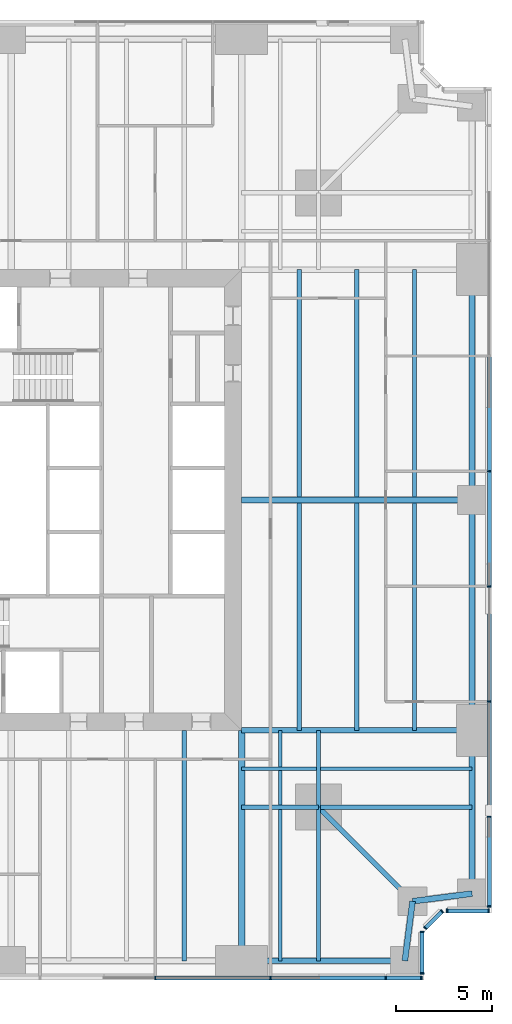
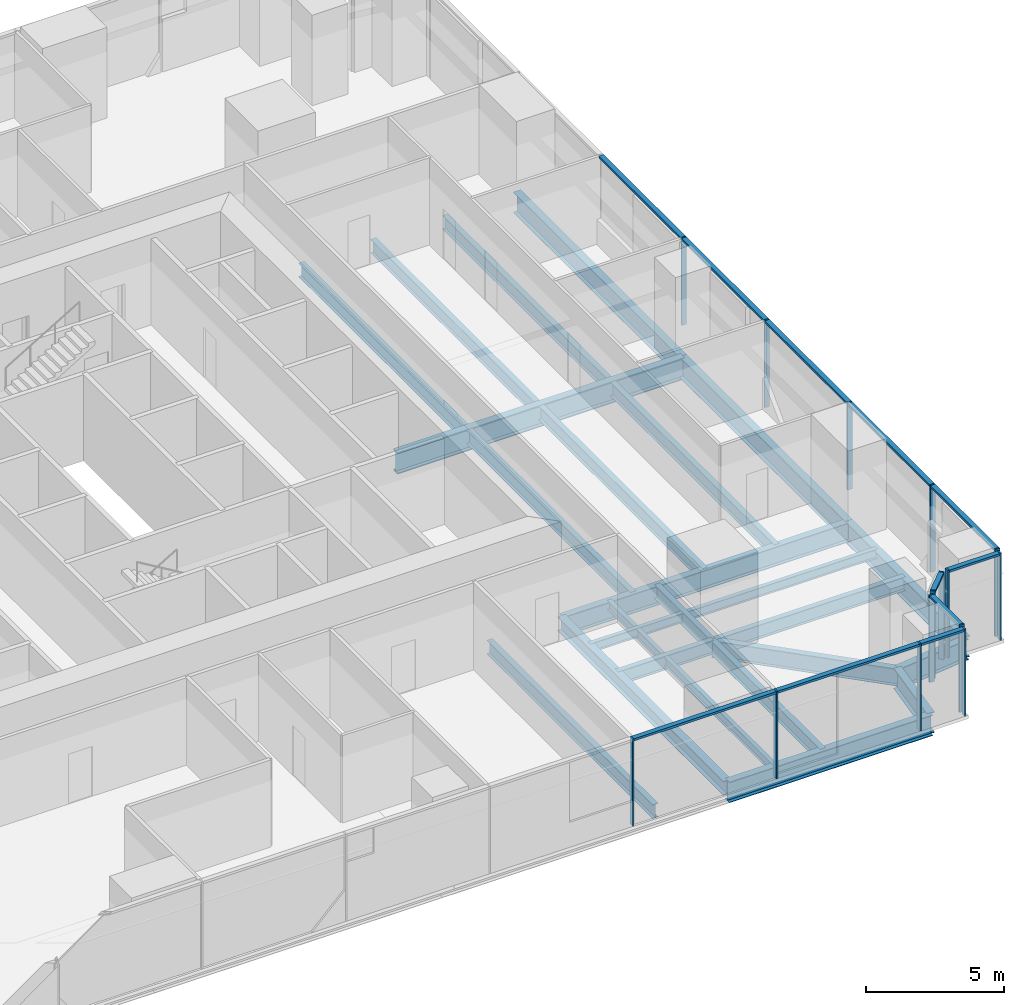
# One storey, part 5 of 13: 26 beams, 26 members, 5 elements without a shape of their own.
"""IFC4 building model written with IfcOpenShell, lengths in metres."""

from ifc_helpers import new_model, si_unit, direction, frame, origin, origin_2d, place, context, subcontext, project, spatial, rectangle, i_section, extrude, material, material_profile, profile_set, type_object, element, aggregate, save


model = new_model("IFC4")

# Units and contexts
model_context = context("Model", 3, precision=1e-05, world=origin(), true_north=direction((0.0, 1.0)))
body_context = subcontext(model_context, "Body", "Model", "MODEL_VIEW")
ifc_project = project(units=[si_unit("LENGTHUNIT", "METRE"), si_unit("AREAUNIT", "SQUARE_METRE"), si_unit("VOLUMEUNIT", "CUBIC_METRE"), si_unit("PLANEANGLEUNIT", "RADIAN"), si_unit("MASSUNIT", "GRAM", prefix="KILO")], contexts=[model_context])

# Site, building, storey
site_placement = place(None, origin())
site = spatial("IfcSite", under=ifc_project, at=site_placement, CompositionType="ELEMENT")
building_placement = place(site_placement, origin())
building = spatial("IfcBuilding", under=site, at=building_placement, Name="Fenwick Lantern Interchange", CompositionType="ELEMENT")
storey_placement = place(building_placement, frame((0.0, 0.0, 39.0)))
storey = spatial("IfcBuildingStorey", under=building, at=storey_placement, Name="L08", CompositionType="ELEMENT", Elevation=39.0)

# Beams
ifc_material_1 = material(Name="Steel ASTM A992 Grade 50", Category="steel")
ifc_material_profile_1 = material_profile(ifc_material_1, i_section(OverallWidth=0.3046875, OverallDepth=0.911865234375, WebThickness=0.015869140625, FlangeThickness=0.02392578125, at=origin_2d()), Name="W36X150")
ifc_profile_set_1 = profile_set([ifc_material_profile_1], Name="Steel ASTM A992 Grade 50")
beam_type_1 = type_object("IfcBeamType", Name="EDGE BEAM W36X150", PredefinedType="SPANDREL", material=ifc_profile_set_1)
beam_1_placement = place(storey_placement, frame((37.0, 1.0, -0.60595703125), z_axis=(1.0, 0.0, 0.0), x_axis=(0.0, 1.0, 0.0)))
element("IfcBeam", 1, at=beam_1_placement, inside=storey, type_object=beam_type_1, Name="L08/FR/S/EB4", PredefinedType="SPANDREL", context=body_context, shape_type="SweptSolid", body=[
    extrude(i_section(OverallWidth=0.3046875, OverallDepth=0.911865234375, WebThickness=0.015869140625, FlangeThickness=0.02392578125, at=origin_2d()), origin(), (0.0, 0.0, 1.0), 8.5),
])
for number, where, z_axis, x_axis, name in (
    (2, (45.5, 1.0, -0.60595703125), (0.127936641807, 0.991782342897, 0.0), (-0.991782342897, 0.127936641807, 0.0), "L08/FR/S/EBR1"),
    (3, (45.89990234375, 4.10009765625, -0.60595703125), (0.991782342897, 0.127936641807, 0.0), (-0.127936641807, 0.991782342897, 0.0), "L08/FR/S/EBR2"),
):
    element("IfcBeam", number, at=place(storey_placement, frame(where, z_axis=z_axis, x_axis=x_axis)), inside=storey, type_object=beam_type_1, Name=name, PredefinedType="SPANDREL", context=body_context, shape_type="SweptSolid", body=[
        extrude(i_section(OverallWidth=0.3046875, OverallDepth=0.911865234375, WebThickness=0.015869140625, FlangeThickness=0.02392578125, at=origin_2d()), origin(), (0.0, 0.0, 1.0), 3.125732421875),
    ])
beam_2_placement = place(storey_placement, frame((49.0, 4.5, -0.60595703125), z_axis=(0.0, 1.0, 0.0), x_axis=(-1.0, 0.0, 0.0)))
element("IfcBeam", 4, at=beam_2_placement, inside=storey, type_object=beam_type_1, Name="L08/FR/E/EB1", PredefinedType="SPANDREL", context=body_context, shape_type="SweptSolid", body=[
    extrude(i_section(OverallWidth=0.3046875, OverallDepth=0.911865234375, WebThickness=0.015869140625, FlangeThickness=0.02392578125, at=origin_2d()), origin(), (0.0, 0.0, 1.0), 8.5),
])
for number, where, z_axis, x_axis, name in (
    (5, (49.0, 13.0, -0.60595703125), (0.0, 1.0, 0.0), (-1.0, 0.0, 0.0), "L08/FR/E/EB2"),
    (6, (49.0, 25.0, -0.60595703125), (0.0, 1.0, 0.0), (-1.0, 0.0, 0.0), "L08/FR/E/EB3"),
):
    element("IfcBeam", number, at=place(storey_placement, frame(where, z_axis=z_axis, x_axis=x_axis)), inside=storey, type_object=beam_type_1, Name=name, PredefinedType="SPANDREL", context=body_context, shape_type="SweptSolid", body=[
        extrude(i_section(OverallWidth=0.3046875, OverallDepth=0.911865234375, WebThickness=0.015869140625, FlangeThickness=0.02392578125, at=origin_2d()), origin(), (0.0, 0.0, 1.0), 12.0),
    ])
ifc_material_profile_2 = material_profile(ifc_material_1, i_section(OverallWidth=0.22900390625, OverallDepth=0.612060546875, WebThickness=0.011962890625, FlangeThickness=0.01953125, at=origin_2d()), Name="W24X84")
ifc_profile_set_2 = profile_set([ifc_material_profile_2], Name="Steel ASTM A992 Grade 50")
beam_type_2 = type_object("IfcBeamType", Name="FLOOR BEAM W24X84", PredefinedType="BEAM", material=ifc_profile_set_2)
beam_3_placement = place(storey_placement, frame((34.0, 1.0, -0.4560546875), z_axis=(0.0, 1.0, 0.0), x_axis=(-1.0, 0.0, 0.0)))
element("IfcBeam", 7, at=beam_3_placement, inside=storey, type_object=beam_type_2, Name="L08/FR/S/R08", PredefinedType="BEAM", context=body_context, shape_type="SweptSolid", body=[
    extrude(i_section(OverallWidth=0.22900390625, OverallDepth=0.612060546875, WebThickness=0.011962890625, FlangeThickness=0.01953125, at=origin_2d()), origin(), (0.0, 0.0, 1.0), 12.0),
])
for number, where, z_axis, x_axis, name in (
    (8, (46.0, 13.0, -0.4560546875), (0.0, 1.0, 0.0), (-1.0, 0.0, 0.0), "L08/FR/E/B01"),
    (9, (43.0, 13.0, -0.4560546875), (0.0, 1.0, 0.0), (-1.0, 0.0, 0.0), "L08/FR/E/B02"),
    (10, (40.0, 13.0, -0.4560546875), (0.0, 1.0, 0.0), (-1.0, 0.0, 0.0), "L08/FR/E/B03"),
    (11, (46.0, 25.155029296875, -0.4560546875), (0.0, 1.0, 0.0), (-1.0, 0.0, 0.0), "L08/FR/E/B04"),
    (12, (43.0, 25.155029296875, -0.4560546875), (0.0, 1.0, 0.0), (-1.0, 0.0, 0.0), "L08/FR/E/B05"),
    (13, (40.0, 25.155029296875, -0.4560546875), (0.0, 1.0, 0.0), (-1.0, 0.0, 0.0), "L08/FR/E/B06"),
):
    element("IfcBeam", number, at=place(storey_placement, frame(where, z_axis=z_axis, x_axis=x_axis)), inside=storey, type_object=beam_type_2, Name=name, PredefinedType="BEAM", context=body_context, shape_type="SweptSolid", body=[
        extrude(i_section(OverallWidth=0.22900390625, OverallDepth=0.612060546875, WebThickness=0.011962890625, FlangeThickness=0.01953125, at=origin_2d()), origin(), (0.0, 0.0, 1.0), 11.844970703125),
    ])
ifc_material_profile_3 = material_profile(ifc_material_1, i_section(OverallWidth=0.177734375, OverallDepth=0.406494140625, WebThickness=0.0078125, FlangeThickness=0.012939453125, at=origin_2d()), Name="W16X40")
ifc_profile_set_3 = profile_set([ifc_material_profile_3], Name="Steel ASTM A992 Grade 50")
beam_type_3 = type_object("IfcBeamType", Name="INFILL BEAM W16X40", PredefinedType="JOIST", material=ifc_profile_set_3)
beam_4_placement = place(storey_placement, frame((49.0, 11.0, -0.353271484375), z_axis=(-1.0, 0.0, 0.0), x_axis=(0.0, -1.0, 0.0)))
element("IfcBeam", 14, at=beam_4_placement, inside=storey, type_object=beam_type_3, Name="L08/FR/E/J1", PredefinedType="JOIST", context=body_context, shape_type="SweptSolid", body=[
    extrude(i_section(OverallWidth=0.177734375, OverallDepth=0.406494140625, WebThickness=0.0078125, FlangeThickness=0.012939453125, at=origin_2d()), origin(), (0.0, 0.0, 1.0), 7.885498046875),
])
beam_5_placement = place(storey_placement, frame((40.885498046875, 11.0, -0.353271484375), z_axis=(-1.0, 0.0, 0.0), x_axis=(0.0, -1.0, 0.0)))
element("IfcBeam", 15, at=beam_5_placement, inside=storey, type_object=beam_type_3, Name="L08/FR/E/J2", PredefinedType="JOIST", context=body_context, shape_type="SweptSolid", body=[
    extrude(i_section(OverallWidth=0.177734375, OverallDepth=0.406494140625, WebThickness=0.0078125, FlangeThickness=0.012939453125, at=origin_2d()), origin(), (0.0, 0.0, 1.0), 3.885498046875),
])
beam_6_placement = place(storey_placement, frame((39.0, 1.0, -0.353271484375), z_axis=(0.0, 1.0, 0.0), x_axis=(-1.0, 0.0, 0.0)))
element("IfcBeam", 16, at=beam_6_placement, inside=storey, type_object=beam_type_3, Name="L08/FR/E/J3", PredefinedType="JOIST", context=body_context, shape_type="SweptSolid", body=[
    extrude(i_section(OverallWidth=0.177734375, OverallDepth=0.406494140625, WebThickness=0.0078125, FlangeThickness=0.012939453125, at=origin_2d()), origin(), (0.0, 0.0, 1.0), 7.885498046875),
])
beam_7_placement = place(storey_placement, frame((39.0, 9.114501953125, -0.353271484375), z_axis=(0.0, 1.0, 0.0), x_axis=(-1.0, 0.0, 0.0)))
element("IfcBeam", 17, at=beam_7_placement, inside=storey, type_object=beam_type_3, Name="L08/FR/E/J4", PredefinedType="JOIST", context=body_context, shape_type="SweptSolid", body=[
    extrude(i_section(OverallWidth=0.177734375, OverallDepth=0.406494140625, WebThickness=0.0078125, FlangeThickness=0.012939453125, at=origin_2d()), origin(), (0.0, 0.0, 1.0), 1.796630859375),
])
beam_8_placement = place(storey_placement, frame((39.0, 11.0888671875, -0.353271484375), z_axis=(0.0, 1.0, 0.0), x_axis=(-1.0, 0.0, 0.0)))
element("IfcBeam", 18, at=beam_8_placement, inside=storey, type_object=beam_type_3, Name="L08/FR/E/J5", PredefinedType="JOIST", context=body_context, shape_type="SweptSolid", body=[
    extrude(i_section(OverallWidth=0.177734375, OverallDepth=0.406494140625, WebThickness=0.0078125, FlangeThickness=0.012939453125, at=origin_2d()), origin(), (0.0, 0.0, 1.0), 1.9111328125),
])
ifc_material_profile_4 = material_profile(ifc_material_1, i_section(OverallWidth=0.22900390625, OverallDepth=0.612060546875, WebThickness=0.011962890625, FlangeThickness=0.01953125, at=origin_2d()), Name="W24X84")
ifc_profile_set_4 = profile_set([ifc_material_profile_4], Name="Steel ASTM A992 Grade 50")
beam_type_4 = type_object("IfcBeamType", Name="MEGA COLUMN BEAM W24X84", PredefinedType="BEAM", material=ifc_profile_set_4)
for number, where, z_axis, x_axis, name in (
    (19, (41.0, 9.0, -0.4560546875), (1.0, 0.0, 0.0), (0.0, 1.0, 0.0), "L08/FR/E/MB1"),
    (20, (41.0, 9.0, -0.4560546875), (0.0, -1.0, 0.0), (1.0, 0.0, 0.0), "L08/FR/E/MB2"),
):
    element("IfcBeam", number, at=place(storey_placement, frame(where, z_axis=z_axis, x_axis=x_axis)), inside=storey, type_object=beam_type_4, Name=name, PredefinedType="BEAM", context=body_context, shape_type="SweptSolid", body=[
        extrude(i_section(OverallWidth=0.22900390625, OverallDepth=0.612060546875, WebThickness=0.011962890625, FlangeThickness=0.01953125, at=origin_2d()), origin(), (0.0, 0.0, 1.0), 8.0),
    ])
for number, where, z_axis, x_axis, name in (
    (21, (41.0, 9.0, -0.4560546875), (0.0, 1.0, 0.0), (-1.0, 0.0, 0.0), "L08/FR/E/MB3"),
    (22, (41.0, 9.0, -0.4560546875), (-1.0, 0.0, 0.0), (0.0, -1.0, 0.0), "L08/FR/E/MB4"),
):
    element("IfcBeam", number, at=place(storey_placement, frame(where, z_axis=z_axis, x_axis=x_axis)), inside=storey, type_object=beam_type_4, Name=name, PredefinedType="BEAM", context=body_context, shape_type="SweptSolid", body=[
        extrude(i_section(OverallWidth=0.22900390625, OverallDepth=0.612060546875, WebThickness=0.011962890625, FlangeThickness=0.01953125, at=origin_2d()), origin(), (0.0, 0.0, 1.0), 4.0),
    ])
ifc_material_profile_5 = material_profile(ifc_material_1, i_section(OverallWidth=0.32763671875, OverallDepth=0.622314453125, WebThickness=0.015380859375, FlangeThickness=0.0244140625, at=origin_2d()), Name="W24X131")
ifc_profile_set_5 = profile_set([ifc_material_profile_5], Name="Steel ASTM A992 Grade 50")
beam_type_5 = type_object("IfcBeamType", Name="MOMENT-CONNECTED GIRDER W24X131", PredefinedType="BEAM", material=ifc_profile_set_5)
beam_9_placement = place(storey_placement, frame((37.0, 1.0, -0.461181640625), z_axis=(0.0, 1.0, 0.0), x_axis=(-1.0, 0.0, 0.0)))
element("IfcBeam", 23, at=beam_9_placement, inside=storey, type_object=beam_type_5, Name="L08/FR/S/R09", PredefinedType="BEAM", context=body_context, shape_type="SweptSolid", body=[
    extrude(i_section(OverallWidth=0.32763671875, OverallDepth=0.622314453125, WebThickness=0.015380859375, FlangeThickness=0.0244140625, at=origin_2d()), origin(), (0.0, 0.0, 1.0), 12.0),
])
ifc_material_profile_6 = material_profile(ifc_material_1, i_section(OverallWidth=0.2919921875, OverallDepth=0.845703125, WebThickness=0.015380859375, FlangeThickness=0.0244140625, at=origin_2d()), Name="W33X141")
ifc_profile_set_6 = profile_set([ifc_material_profile_6], Name="Steel ASTM A992 Grade 50")
beam_type_6 = type_object("IfcBeamType", Name="MOMENT-CONNECTED GIRDER W33X141", PredefinedType="BEAM", material=ifc_profile_set_6)
beam_10_placement = place(storey_placement, frame((49.0, 13.0, -0.572998046875), z_axis=(-1.0, 0.0, 0.0), x_axis=(0.0, -1.0, 0.0)))
element("IfcBeam", 24, at=beam_10_placement, inside=storey, type_object=beam_type_6, Name="L08/FR/E/R01", PredefinedType="BEAM", context=body_context, shape_type="SweptSolid", body=[
    extrude(i_section(OverallWidth=0.2919921875, OverallDepth=0.845703125, WebThickness=0.015380859375, FlangeThickness=0.0244140625, at=origin_2d()), origin(), (0.0, 0.0, 1.0), 12.0),
])
ifc_material_profile_7 = material_profile(ifc_material_1, i_section(OverallWidth=0.309814453125, OverallDepth=0.949951171875, WebThickness=0.0244140625, FlangeThickness=0.0439453125, at=origin_2d()), Name="W36X256")
ifc_profile_set_7 = profile_set([ifc_material_profile_7], Name="Steel ASTM A992 Grade 50")
beam_type_7 = type_object("IfcBeamType", Name="MOMENT-CONNECTED GIRDER W36X256", PredefinedType="BEAM", material=ifc_profile_set_7)
beam_11_placement = place(storey_placement, frame((49.0, 25.0, -0.625), z_axis=(-1.0, 0.0, 0.0), x_axis=(0.0, -1.0, 0.0)))
element("IfcBeam", 25, at=beam_11_placement, inside=storey, type_object=beam_type_7, Name="L08/FR/E/R02", PredefinedType="BEAM", context=body_context, shape_type="SweptSolid", body=[
    extrude(i_section(OverallWidth=0.309814453125, OverallDepth=0.949951171875, WebThickness=0.0244140625, FlangeThickness=0.0439453125, at=origin_2d()), origin(), (0.0, 0.0, 1.0), 12.0),
])
ifc_material_profile_8 = material_profile(ifc_material_1, i_section(OverallWidth=0.2666015625, OverallDepth=0.7568359375, WebThickness=0.013916015625, FlangeThickness=0.019287109375, at=origin_2d()), Name="W30X108")
ifc_profile_set_8 = profile_set([ifc_material_profile_8], Name="Steel ASTM A992 Grade 50")
beam_type_8 = type_object("IfcBeamType", Name="NOTCH BEAM W30X108", PredefinedType="BEAM", material=ifc_profile_set_8)
beam_12_placement = place(storey_placement, frame((41.0, 9.0, -0.528564453125), z_axis=(0.707106781187, -0.707106781187, 0.0), x_axis=(0.707106781187, 0.707106781187, 0.0)))
element("IfcBeam", 26, at=beam_12_placement, inside=storey, type_object=beam_type_8, Name="L08/FR/E/TG", PredefinedType="BEAM", context=body_context, shape_type="SweptSolid", body=[
    extrude(i_section(OverallWidth=0.2666015625, OverallDepth=0.7568359375, WebThickness=0.013916015625, FlangeThickness=0.019287109375, at=origin_2d()), origin(), (0.0, 0.0, 1.0), 6.929443359375),
])

# Curtain wall, members
ifc_material_2 = material(Name="Aluminium curtain wall frame", Category="aluminium")
curtain_wall_type = type_object("IfcCurtainWallType", Name="OFFICE CURTAIN WALL", PredefinedType="USERDEFINED", material=ifc_material_2)
curtain_wall_1_placement = place(storey_placement, origin())
curtain_wall_1 = element("IfcCurtainWall", 27, at=curtain_wall_1_placement, inside=storey, type_object=curtain_wall_type, Name="Office curtain wall 01", ObjectType="OFFICE CURTAIN WALL", PredefinedType="USERDEFINED")
ifc_material_3 = material(Name="Aluminium extrusion", Category="aluminium")
ifc_material_profile_9 = material_profile(ifc_material_3, rectangle(XDim=0.199951171875, YDim=0.06494140625, at=origin_2d()), Name="OFFICE CURTAIN WALL MULLION 65 X 200")
ifc_profile_set_9 = profile_set([ifc_material_profile_9], Name="Aluminium extrusion")
member_type_1 = type_object("IfcMemberType", Name="OFFICE CURTAIN WALL MULLION 65 X 200", PredefinedType="MULLION", material=ifc_profile_set_9)
member_1_placement = place(storey_placement, frame((32.5, 0.10009765625, 0.0), z_axis=(0.0, 0.0, 1.0), x_axis=(0.0, 1.0, 0.0)))
member_1 = element("IfcMember", 28, at=member_1_placement, type_object=member_type_1, Name="L08/CW/01/M05", PredefinedType="MULLION", context=body_context, shape_type="SweptSolid", body=[
    extrude(rectangle(XDim=0.199951171875, YDim=0.06494140625, at=origin_2d()), origin(), (0.0, 0.0, 1.0), 3.85009765625),
])
member_2_placement = place(storey_placement, frame((38.5, 0.10009765625, 0.0), z_axis=(0.0, 0.0, 1.0), x_axis=(0.0, 1.0, 0.0)))
member_2 = element("IfcMember", 29, at=member_2_placement, type_object=member_type_1, Name="L08/CW/01/M06", PredefinedType="MULLION", context=body_context, shape_type="SweptSolid", body=[
    extrude(rectangle(XDim=0.199951171875, YDim=0.06494140625, at=origin_2d()), origin(), (0.0, 0.0, 1.0), 3.85009765625),
])
member_3_placement = place(storey_placement, frame((44.5, 0.10009765625, 0.0), z_axis=(0.0, 0.0, 1.0), x_axis=(0.0, 1.0, 0.0)))
member_3 = element("IfcMember", 30, at=member_3_placement, type_object=member_type_1, Name="L08/CW/01/M07", PredefinedType="MULLION", context=body_context, shape_type="SweptSolid", body=[
    extrude(rectangle(XDim=0.199951171875, YDim=0.06494140625, at=origin_2d()), origin(), (0.0, 0.0, 1.0), 3.85009765625),
])
member_4_placement = place(storey_placement, frame((46.367431640625, 0.10009765625, 0.0), z_axis=(0.0, 0.0, 1.0), x_axis=(0.0, 1.0, 0.0)))
member_4 = element("IfcMember", 31, at=member_4_placement, type_object=member_type_1, Name="L08/CW/01/M08", PredefinedType="MULLION", context=body_context, shape_type="SweptSolid", body=[
    extrude(rectangle(XDim=0.199951171875, YDim=0.06494140625, at=origin_2d()), origin(), (0.0, 0.0, 1.0), 3.85009765625),
])

curtain_wall_2_placement = place(storey_placement, origin())
curtain_wall_2 = element("IfcCurtainWall", 32, at=curtain_wall_2_placement, inside=storey, type_object=curtain_wall_type, Name="Office curtain wall 02", ObjectType="OFFICE CURTAIN WALL", PredefinedType="USERDEFINED")
member_5_placement = place(storey_placement, frame((46.39990234375, 0.33251953125, 0.0), z_axis=(0.0, 0.0, 1.0), x_axis=(-1.0, 0.0, 0.0)))
member_5 = element("IfcMember", 33, at=member_5_placement, type_object=member_type_1, Name="L08/CW/02/M00", PredefinedType="MULLION", context=body_context, shape_type="SweptSolid", body=[
    extrude(rectangle(XDim=0.199951171875, YDim=0.06494140625, at=origin_2d()), origin(), (0.0, 0.0, 1.0), 3.85009765625),
])
member_6_placement = place(storey_placement, frame((46.39990234375, 2.509033203125, 0.0), z_axis=(0.0, 0.0, 1.0), x_axis=(-1.0, 0.0, 0.0)))
member_6 = element("IfcMember", 34, at=member_6_placement, type_object=member_type_1, Name="L08/CW/02/M01", PredefinedType="MULLION", context=body_context, shape_type="SweptSolid", body=[
    extrude(rectangle(XDim=0.199951171875, YDim=0.06494140625, at=origin_2d()), origin(), (0.0, 0.0, 1.0), 3.85009765625),
])

curtain_wall_3_placement = place(storey_placement, origin())
curtain_wall_3 = element("IfcCurtainWall", 35, at=curtain_wall_3_placement, inside=storey, type_object=curtain_wall_type, Name="Office curtain wall 03", ObjectType="OFFICE CURTAIN WALL", PredefinedType="USERDEFINED")
member_7_placement = place(storey_placement, frame((46.564453125, 2.705810546875, 0.0), z_axis=(0.0, 0.0, 1.0), x_axis=(-0.707106781187, 0.707106781187, 0.0)))
member_7 = element("IfcMember", 36, at=member_7_placement, type_object=member_type_1, Name="L08/CW/03/M00", PredefinedType="MULLION", context=body_context, shape_type="SweptSolid", body=[
    extrude(rectangle(XDim=0.199951171875, YDim=0.06494140625, at=origin_2d()), origin(), (0.0, 0.0, 1.0), 3.85009765625),
])
member_8_placement = place(storey_placement, frame((47.435546875, 3.576904296875, 0.0), z_axis=(0.0, 0.0, 1.0), x_axis=(-0.707106781187, 0.707106781187, 0.0)))
member_8 = element("IfcMember", 37, at=member_8_placement, type_object=member_type_1, Name="L08/CW/03/M01", PredefinedType="MULLION", context=body_context, shape_type="SweptSolid", body=[
    extrude(rectangle(XDim=0.199951171875, YDim=0.06494140625, at=origin_2d()), origin(), (0.0, 0.0, 1.0), 3.85009765625),
])

curtain_wall_4_placement = place(storey_placement, origin())
curtain_wall_4 = element("IfcCurtainWall", 38, at=curtain_wall_4_placement, inside=storey, type_object=curtain_wall_type, Name="Office curtain wall 04", ObjectType="OFFICE CURTAIN WALL", PredefinedType="USERDEFINED")
member_9_placement = place(storey_placement, frame((47.691162109375, 3.60009765625, 0.0), z_axis=(0.0, 0.0, 1.0), x_axis=(0.0, 1.0, 0.0)))
member_9 = element("IfcMember", 39, at=member_9_placement, type_object=member_type_1, Name="L08/CW/04/M00", PredefinedType="MULLION", context=body_context, shape_type="SweptSolid", body=[
    extrude(rectangle(XDim=0.199951171875, YDim=0.06494140625, at=origin_2d()), origin(), (0.0, 0.0, 1.0), 3.85009765625),
])
member_10_placement = place(storey_placement, frame((49.867431640625, 3.60009765625, 0.0), z_axis=(0.0, 0.0, 1.0), x_axis=(0.0, 1.0, 0.0)))
member_10 = element("IfcMember", 40, at=member_10_placement, type_object=member_type_1, Name="L08/CW/04/M01", PredefinedType="MULLION", context=body_context, shape_type="SweptSolid", body=[
    extrude(rectangle(XDim=0.199951171875, YDim=0.06494140625, at=origin_2d()), origin(), (0.0, 0.0, 1.0), 3.85009765625),
])

curtain_wall_5_placement = place(storey_placement, origin())
curtain_wall_5 = element("IfcCurtainWall", 41, at=curtain_wall_5_placement, inside=storey, type_object=curtain_wall_type, Name="Office curtain wall 05", ObjectType="OFFICE CURTAIN WALL", PredefinedType="USERDEFINED")
member_11_placement = place(storey_placement, frame((49.89990234375, 3.83251953125, 0.0), z_axis=(0.0, 0.0, 1.0), x_axis=(-1.0, 0.0, 0.0)))
member_11 = element("IfcMember", 42, at=member_11_placement, type_object=member_type_1, Name="L08/CW/05/M00", PredefinedType="MULLION", context=body_context, shape_type="SweptSolid", body=[
    extrude(rectangle(XDim=0.199951171875, YDim=0.06494140625, at=origin_2d()), origin(), (0.0, 0.0, 1.0), 3.85009765625),
])
member_12_placement = place(storey_placement, frame((49.89990234375, 8.5, 0.0), z_axis=(0.0, 0.0, 1.0), x_axis=(-1.0, 0.0, 0.0)))
member_12 = element("IfcMember", 43, at=member_12_placement, type_object=member_type_1, Name="L08/CW/05/M01", PredefinedType="MULLION", context=body_context, shape_type="SweptSolid", body=[
    extrude(rectangle(XDim=0.199951171875, YDim=0.06494140625, at=origin_2d()), origin(), (0.0, 0.0, 1.0), 3.85009765625),
])
member_13_placement = place(storey_placement, frame((49.89990234375, 14.5, 0.0), z_axis=(0.0, 0.0, 1.0), x_axis=(-1.0, 0.0, 0.0)))
member_13 = element("IfcMember", 44, at=member_13_placement, type_object=member_type_1, Name="L08/CW/05/M02", PredefinedType="MULLION", context=body_context, shape_type="SweptSolid", body=[
    extrude(rectangle(XDim=0.199951171875, YDim=0.06494140625, at=origin_2d()), origin(), (0.0, 0.0, 1.0), 3.85009765625),
])
member_14_placement = place(storey_placement, frame((49.89990234375, 20.5, 0.0), z_axis=(0.0, 0.0, 1.0), x_axis=(-1.0, 0.0, 0.0)))
member_14 = element("IfcMember", 45, at=member_14_placement, type_object=member_type_1, Name="L08/CW/05/M03", PredefinedType="MULLION", context=body_context, shape_type="SweptSolid", body=[
    extrude(rectangle(XDim=0.199951171875, YDim=0.06494140625, at=origin_2d()), origin(), (0.0, 0.0, 1.0), 3.85009765625),
])
member_15_placement = place(storey_placement, frame((49.89990234375, 26.5, 0.0), z_axis=(0.0, 0.0, 1.0), x_axis=(-1.0, 0.0, 0.0)))
member_15 = element("IfcMember", 46, at=member_15_placement, type_object=member_type_1, Name="L08/CW/05/M04", PredefinedType="MULLION", context=body_context, shape_type="SweptSolid", body=[
    extrude(rectangle(XDim=0.199951171875, YDim=0.06494140625, at=origin_2d()), origin(), (0.0, 0.0, 1.0), 3.85009765625),
])

# Member
ifc_material_profile_10 = material_profile(ifc_material_3, rectangle(XDim=0.199951171875, YDim=0.10009765625, at=origin_2d()), Name="OFFICE CURTAIN WALL TRANSOM 100 X 200")
ifc_profile_set_10 = profile_set([ifc_material_profile_10], Name="Aluminium extrusion")
member_type_2 = type_object("IfcMemberType", Name="OFFICE CURTAIN WALL TRANSOM 100 X 200", PredefinedType="MULLION", material=ifc_profile_set_10)
member_16_placement = place(storey_placement, frame((32.532470703125, 0.10009765625, 3.800048828125), z_axis=(1.0, 0.0, 0.0), x_axis=(0.0, 1.0, 0.0)))
member_16 = element("IfcMember", 47, at=member_16_placement, type_object=member_type_2, Name="L08/CW/01/T05", PredefinedType="MULLION", context=body_context, shape_type="SweptSolid", body=[
    extrude(rectangle(XDim=0.199951171875, YDim=0.10009765625, at=origin_2d()), origin(), (0.0, 0.0, 1.0), 5.93505859375),
])

member_17_placement = place(storey_placement, frame((38.532470703125, 0.10009765625, 3.800048828125), z_axis=(1.0, 0.0, 0.0), x_axis=(0.0, 1.0, 0.0)))
member_17 = element("IfcMember", 48, at=member_17_placement, type_object=member_type_2, Name="L08/CW/01/T06", PredefinedType="MULLION", context=body_context, shape_type="SweptSolid", body=[
    extrude(rectangle(XDim=0.199951171875, YDim=0.10009765625, at=origin_2d()), origin(), (0.0, 0.0, 1.0), 5.93505859375),
])

member_18_placement = place(storey_placement, frame((44.532470703125, 0.10009765625, 3.800048828125), z_axis=(1.0, 0.0, 0.0), x_axis=(0.0, 1.0, 0.0)))
member_18 = element("IfcMember", 49, at=member_18_placement, type_object=member_type_2, Name="L08/CW/01/T07", PredefinedType="MULLION", context=body_context, shape_type="SweptSolid", body=[
    extrude(rectangle(XDim=0.199951171875, YDim=0.10009765625, at=origin_2d()), origin(), (0.0, 0.0, 1.0), 1.802490234375),
])

aggregate(curtain_wall_1, [member_1, member_2, member_3, member_4, member_16, member_17, member_18])

member_19_placement = place(storey_placement, frame((46.39990234375, 0.364990234375, 3.800048828125), z_axis=(0.0, 1.0, 0.0), x_axis=(-1.0, 0.0, 0.0)))
member_19 = element("IfcMember", 50, at=member_19_placement, type_object=member_type_2, Name="L08/CW/02/T00", PredefinedType="MULLION", context=body_context, shape_type="SweptSolid", body=[
    extrude(rectangle(XDim=0.199951171875, YDim=0.10009765625, at=origin_2d()), origin(), (0.0, 0.0, 1.0), 2.111328125),
])

aggregate(curtain_wall_2, [member_5, member_6, member_19])

member_20_placement = place(storey_placement, frame((46.58740234375, 2.728759765625, 3.800048828125), z_axis=(0.707106781187, 0.707106781187, 0.0), x_axis=(-0.707106781187, 0.707106781187, 0.0)))
member_20 = element("IfcMember", 51, at=member_20_placement, type_object=member_type_2, Name="L08/CW/03/T00", PredefinedType="MULLION", context=body_context, shape_type="SweptSolid", body=[
    extrude(rectangle(XDim=0.199951171875, YDim=0.10009765625, at=origin_2d()), origin(), (0.0, 0.0, 1.0), 1.1669921875),
])

aggregate(curtain_wall_3, [member_7, member_8, member_20])

member_21_placement = place(storey_placement, frame((47.7236328125, 3.60009765625, 3.800048828125), z_axis=(1.0, 0.0, 0.0), x_axis=(0.0, 1.0, 0.0)))
member_21 = element("IfcMember", 52, at=member_21_placement, type_object=member_type_2, Name="L08/CW/04/T00", PredefinedType="MULLION", context=body_context, shape_type="SweptSolid", body=[
    extrude(rectangle(XDim=0.199951171875, YDim=0.10009765625, at=origin_2d()), origin(), (0.0, 0.0, 1.0), 2.111328125),
])

aggregate(curtain_wall_4, [member_9, member_10, member_21])

member_22_placement = place(storey_placement, frame((49.89990234375, 3.864990234375, 3.800048828125), z_axis=(0.0, 1.0, 0.0), x_axis=(-1.0, 0.0, 0.0)))
member_22 = element("IfcMember", 53, at=member_22_placement, type_object=member_type_2, Name="L08/CW/05/T00", PredefinedType="MULLION", context=body_context, shape_type="SweptSolid", body=[
    extrude(rectangle(XDim=0.199951171875, YDim=0.10009765625, at=origin_2d()), origin(), (0.0, 0.0, 1.0), 4.6025390625),
])

member_23_placement = place(storey_placement, frame((49.89990234375, 8.532470703125, 3.800048828125), z_axis=(0.0, 1.0, 0.0), x_axis=(-1.0, 0.0, 0.0)))
member_23 = element("IfcMember", 54, at=member_23_placement, type_object=member_type_2, Name="L08/CW/05/T01", PredefinedType="MULLION", context=body_context, shape_type="SweptSolid", body=[
    extrude(rectangle(XDim=0.199951171875, YDim=0.10009765625, at=origin_2d()), origin(), (0.0, 0.0, 1.0), 5.93505859375),
])

member_24_placement = place(storey_placement, frame((49.89990234375, 14.532470703125, 3.800048828125), z_axis=(0.0, 1.0, 0.0), x_axis=(-1.0, 0.0, 0.0)))
member_24 = element("IfcMember", 55, at=member_24_placement, type_object=member_type_2, Name="L08/CW/05/T02", PredefinedType="MULLION", context=body_context, shape_type="SweptSolid", body=[
    extrude(rectangle(XDim=0.199951171875, YDim=0.10009765625, at=origin_2d()), origin(), (0.0, 0.0, 1.0), 5.93505859375),
])

member_25_placement = place(storey_placement, frame((49.89990234375, 20.532470703125, 3.800048828125), z_axis=(0.0, 1.0, 0.0), x_axis=(-1.0, 0.0, 0.0)))
member_25 = element("IfcMember", 56, at=member_25_placement, type_object=member_type_2, Name="L08/CW/05/T03", PredefinedType="MULLION", context=body_context, shape_type="SweptSolid", body=[
    extrude(rectangle(XDim=0.199951171875, YDim=0.10009765625, at=origin_2d()), origin(), (0.0, 0.0, 1.0), 5.93505859375),
])

member_26_placement = place(storey_placement, frame((49.89990234375, 26.532470703125, 3.800048828125), z_axis=(0.0, 1.0, 0.0), x_axis=(-1.0, 0.0, 0.0)))
member_26 = element("IfcMember", 57, at=member_26_placement, type_object=member_type_2, Name="L08/CW/05/T04", PredefinedType="MULLION", context=body_context, shape_type="SweptSolid", body=[
    extrude(rectangle(XDim=0.199951171875, YDim=0.10009765625, at=origin_2d()), origin(), (0.0, 0.0, 1.0), 5.93505859375),
])

aggregate(curtain_wall_5, [member_11, member_12, member_13, member_14, member_15, member_22, member_23, member_24, member_25, member_26])

save(model, "model.ifc")
